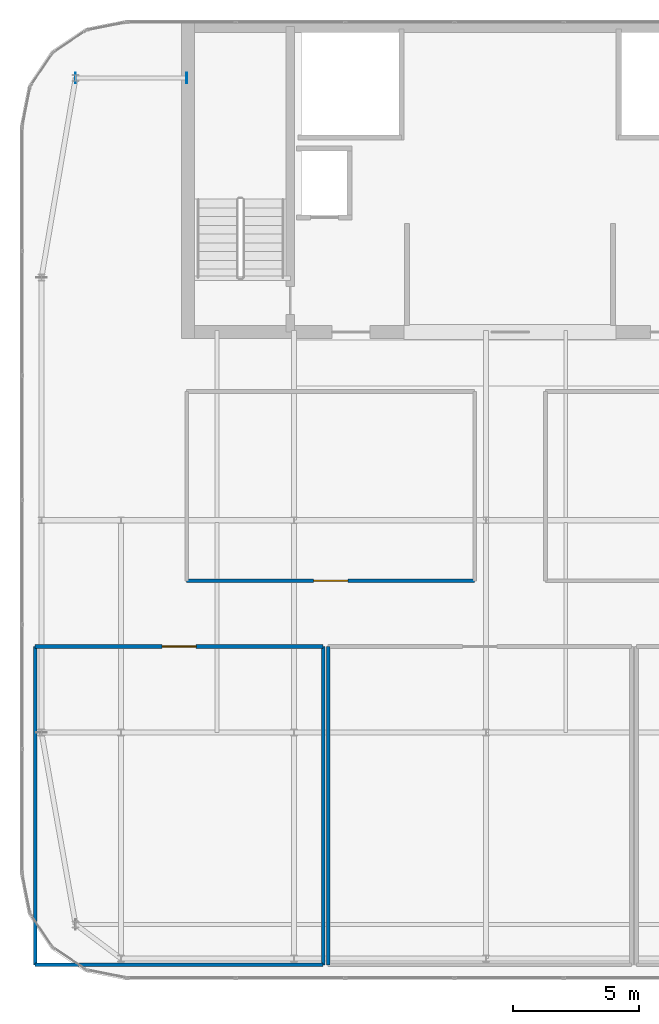
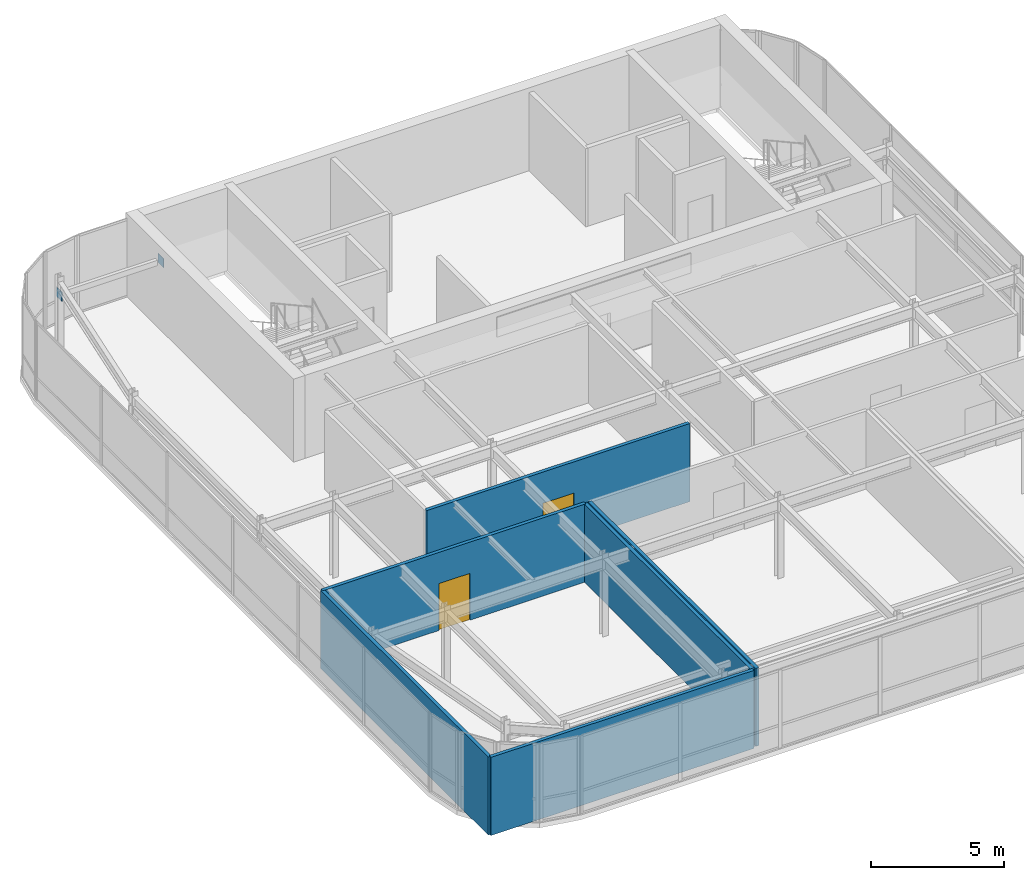
# One storey, part 33 of 36: 6 walls, 2 doors, 2 plates, 2 openings.
"""IFC4 building model written with IfcOpenShell, lengths in metres."""

from ifc_helpers import new_model, si_unit, direction, frame, frame_2d, origin, origin_2d, place, context, subcontext, project, spatial, rectangle, extrude, source, transform, mapped, material, layer, layer_set, type_object, type_shapes, element, fill, save


model = new_model("IFC4")

# Units and contexts
model_context = context("Model", 3, precision=1e-05, world=origin(), true_north=direction((0.0, 1.0)))
body_context = subcontext(model_context, "Body", "Model", "MODEL_VIEW")
ifc_project = project(units=[si_unit("LENGTHUNIT", "METRE"), si_unit("AREAUNIT", "SQUARE_METRE"), si_unit("VOLUMEUNIT", "CUBIC_METRE"), si_unit("PLANEANGLEUNIT", "RADIAN"), si_unit("MASSUNIT", "GRAM", prefix="KILO")], contexts=[model_context])

# Site, building, storey
site_placement = place(None, origin())
site = spatial("IfcSite", under=ifc_project, at=site_placement, CompositionType="ELEMENT")
building_placement = place(site_placement, origin())
building = spatial("IfcBuilding", under=site, at=building_placement, Name="Tolvann Quenvar Hotel", CompositionType="ELEMENT")
storey_placement = place(building_placement, frame((0.0, 0.0, 306.14990234375)))
storey = spatial("IfcBuildingStorey", under=building, at=storey_placement, Name="L81", CompositionType="ELEMENT", Elevation=306.14990234375)

# Plates
ifc_material_1 = material(Name="Steel Grade 350", Category="steel")
ifc_layer_1 = layer(ifc_material_1, 0.02490234375)
ifc_layer_set_1 = layer_set([ifc_layer_1], Name="Steel Grade 350")
plate_type = type_object("IfcPlateType", Name="PLT_ENDCAP_25", PredefinedType="SHEET", material=ifc_layer_set_1)
shared_shape_1 = source(origin(), body_context, "Body", "SweptSolid", [
    extrude(rectangle(XDim=0.02490234375, YDim=0.419921875, at=origin_2d()), origin(), (0.0, 0.0, 1.0), 0.419921875),
])
type_shapes(plate_type, [shared_shape_1])
for number, where, z_axis, x_axis, name in (
    (1, (5.800048828125, 41.89990234375, 2.72021484375), (0.0, 0.0, 1.0), (1.0, 0.0, 0.0), "Crown Ring End Cap Plate EC-1 (L81-4-1)"),
    (2, (10.199951171875, 41.89990234375, 2.72021484375), (0.0, 0.0, 1.0), (1.0, 0.0, 0.0), "Crown Ring End Cap Plate EC-1 (L81-4-2)"),
):
    element("IfcPlate", number, at=place(storey_placement, frame(where, z_axis=z_axis, x_axis=x_axis)), inside=storey, type_object=plate_type, Name=name, PredefinedType="SHEET", context=body_context, shape_type="MappedRepresentation", body=[
        mapped(shared_shape_1, transform((0.0, 0.0, 0.0), x_axis=(1.0, 0.0, 0.0), y_axis=(0.0, 1.0, 0.0), z_axis=(0.0, 0.0, 1.0), scale=1.0)),
    ])

# Wall
ifc_material_2 = material(Name="Acoustic twin-stud fire-rated gypsum plasterboard partition")
ifc_layer_2 = layer(ifc_material_2, 0.14990234375)
ifc_layer_set_2 = layer_set([ifc_layer_2], Name="Acoustic twin-stud fire-rated gypsum plasterboard partition")
wall_type = type_object("IfcWallType", Name="WALL_PART_SUITE_150", PredefinedType="PARTITIONING", material=ifc_layer_set_2)
wall_1_placement = place(storey_placement, frame((4.199951171875, 6.800048828125, 0.0), z_axis=(0.0, 0.0, 1.0), x_axis=(1.0, 0.0, 0.0)))
element("IfcWall", 3, at=wall_1_placement, inside=storey, type_object=wall_type, Name="Interior Partition PT-SPC-L81-AHUC-S", PredefinedType="PARTITIONING", context=body_context, shape_type="SweptSolid", body=[
    extrude(rectangle(XDim=11.400146484375, YDim=0.14990234375, at=frame_2d((5.7001953125, 0.0))), origin(), (0.0, 0.0, 1.0), 3.580078125),
])

# Wall, opening, door
wall_2_placement = place(storey_placement, frame((4.199951171875, 19.39990234375, 0.0), z_axis=(0.0, 0.0, 1.0), x_axis=(1.0, 0.0, 0.0)))
wall_2 = element("IfcWall", 4, at=wall_2_placement, inside=storey, type_object=wall_type, Name="Interior Partition PT-SPC-L81-AHUC-N", PredefinedType="PARTITIONING", context=body_context, shape_type="SweptSolid", body=[
    extrude(rectangle(XDim=11.400146484375, YDim=0.14990234375, at=frame_2d((5.7001953125, 0.0))), origin(), (0.0, 0.0, 1.0), 3.580078125),
])
opening_1_placement = place(wall_2_placement, frame((5.02490234375, 0.0, 0.0)))
opening_1 = element("IfcOpeningElement", 5, at=opening_1_placement, cuts=wall_2, Name="Opening PD-01", PredefinedType="OPENING", context=body_context, shape_type="SweptSolid", body=[
    extrude(rectangle(XDim=1.35009765625, YDim=2.14990234375, at=frame_2d((0.675048828125, 1.074951171875))), frame((0.0, 0.0849609375, 0.0), z_axis=(0.0, -1.0, 0.0), x_axis=(1.0, 0.0, 0.0)), (0.0, 0.0, 1.0), 0.169921875),
])
ifc_material_3 = material(Name="Pressed galvanised steel fire-rated door set", Category="steel")
door_type = type_object("IfcDoorType", Name="DOOR_PLANT_1350", OperationType="NOTDEFINED", PredefinedType="DOOR", material=ifc_material_3)
shared_shape_2 = source(origin(), body_context, "Body", "SweptSolid", [
    extrude(rectangle(XDim=1.35009765625, YDim=2.14990234375, at=frame_2d((0.675048828125, 1.074951171875))), frame((0.0, 0.02490234375, 0.0), z_axis=(0.0, -1.0, 0.0), x_axis=(1.0, 0.0, 0.0)), (0.0, 0.0, 1.0), 0.050048828125),
])
type_shapes(door_type, [shared_shape_2])
door_1_placement = place(opening_1_placement, origin())
door_1 = element("IfcDoor", 6, at=door_1_placement, inside=storey, type_object=door_type, Name="Interior Door DOOR-SPC-L81-AHUC", OperationType="DOUBLE_DOOR_SINGLE_SWING", OverallHeight=2.14990234375, OverallWidth=1.35009765625, PredefinedType="DOOR", context=body_context, shape_type="MappedRepresentation", body=[
    mapped(shared_shape_2, transform((0.0, 0.0, 0.0), x_axis=(1.0, 0.0, 0.0), y_axis=(0.0, 1.0, 0.0), z_axis=(0.0, 0.0, 1.0), scale=1.0)),
])
fill(opening_1, door_1)

# Walls
for number, where, z_axis, x_axis, name in (
    (7, (4.199951171875, 6.800048828125, 0.0), (0.0, 0.0, 1.0), (0.0, 1.0, 0.0), "Interior Partition PT-SPC-L81-AHUC-W"),
    (8, (15.60009765625, 6.800048828125, 0.0), (0.0, 0.0, 1.0), (0.0, 1.0, 0.0), "Interior Partition PT-SPC-L81-AHUC-E"),
    (9, (15.800048828125, 6.800048828125, 0.0), (0.0, 0.0, 1.0), (0.0, 1.0, 0.0), "Interior Partition PT-SPC-L81-HRC-W"),
):
    element("IfcWall", number, at=place(storey_placement, frame(where, z_axis=z_axis, x_axis=x_axis)), inside=storey, type_object=wall_type, Name=name, PredefinedType="PARTITIONING", context=body_context, shape_type="SweptSolid", body=[
        extrude(rectangle(XDim=12.599853515625, YDim=0.14990234375, at=frame_2d((6.2998046875, 0.0))), origin(), (0.0, 0.0, 1.0), 3.580078125),
    ])

# Wall, opening, door
wall_3_placement = place(storey_placement, frame((10.199951171875, 22.0, 0.0), z_axis=(0.0, 0.0, 1.0), x_axis=(1.0, 0.0, 0.0)))
wall_3 = element("IfcWall", 10, at=wall_3_placement, inside=storey, type_object=wall_type, Name="Interior Partition PT-SPC-L81-MNT-S", PredefinedType="PARTITIONING", context=body_context, shape_type="SweptSolid", body=[
    extrude(rectangle(XDim=11.400146484375, YDim=0.14990234375, at=frame_2d((5.7001953125, 0.0))), origin(), (0.0, 0.0, 1.0), 3.580078125),
])
opening_2_placement = place(wall_3_placement, frame((5.02490234375, 0.0, 0.0)))
opening_2 = element("IfcOpeningElement", 11, at=opening_2_placement, cuts=wall_3, Name="Opening PD-01", PredefinedType="OPENING", context=body_context, shape_type="SweptSolid", body=[
    extrude(rectangle(XDim=1.35009765625, YDim=2.14990234375, at=frame_2d((0.675048828125, 1.074951171875))), frame((0.0, 0.0849609375, 0.0), z_axis=(0.0, -1.0, 0.0), x_axis=(1.0, 0.0, 0.0)), (0.0, 0.0, 1.0), 0.169921875),
])
door_2_placement = place(opening_2_placement, origin())
door_2 = element("IfcDoor", 12, at=door_2_placement, inside=storey, type_object=door_type, Name="Interior Door DOOR-SPC-L81-MNT", OperationType="DOUBLE_DOOR_SINGLE_SWING", OverallHeight=2.14990234375, OverallWidth=1.35009765625, PredefinedType="DOOR", context=body_context, shape_type="MappedRepresentation", body=[
    mapped(shared_shape_2, transform((0.0, 0.0, 0.0), x_axis=(1.0, 0.0, 0.0), y_axis=(0.0, 1.0, 0.0), z_axis=(0.0, 0.0, 1.0), scale=1.0)),
])
fill(opening_2, door_2)

save(model, "model.ifc")
